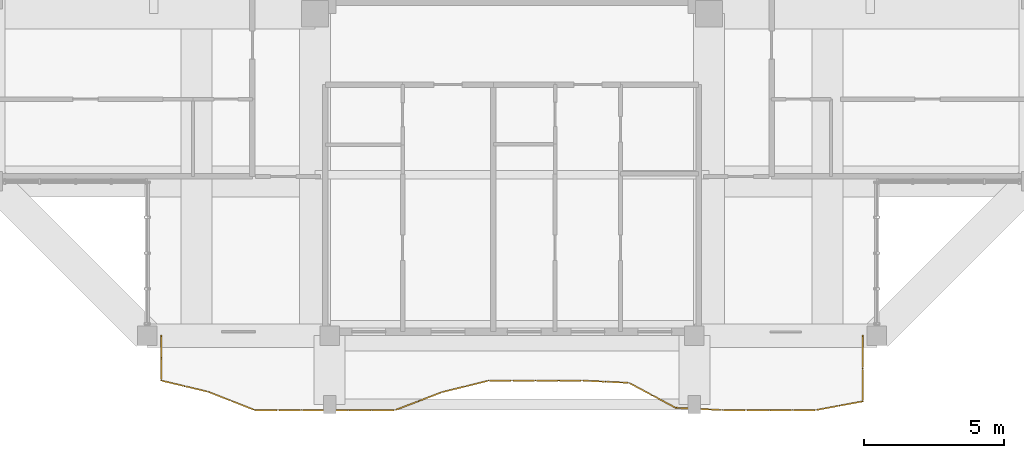
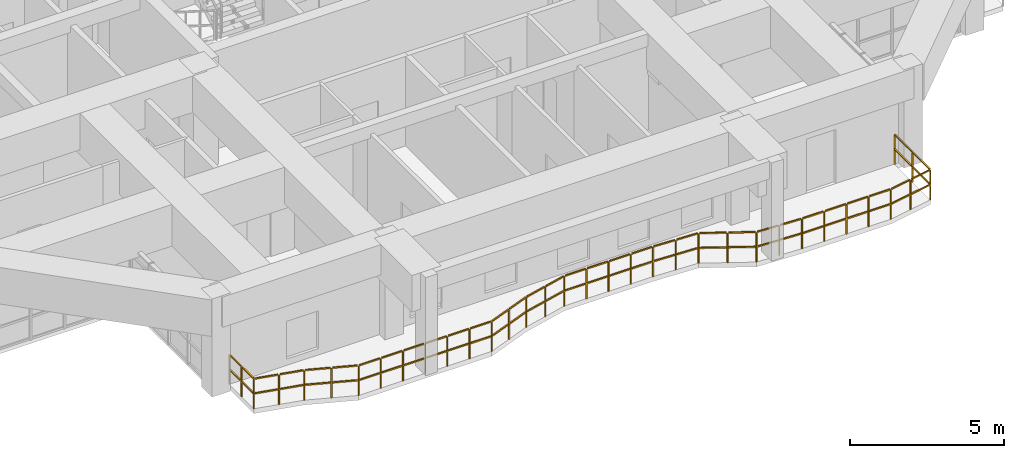
# One storey, part 18 of 22: 1 railing.
"""IFC4 building model written with IfcOpenShell, lengths in metres."""

from ifc_helpers import new_model, si_unit, direction, frame, origin, origin_2d, place, context, subcontext, project, spatial, rectangle, extrude, material, type_object, element, save


model = new_model("IFC4")

# Units and contexts
model_context = context("Model", 3, precision=1e-05, world=origin(), true_north=direction((0.0, 1.0)))
body_context = subcontext(model_context, "Body", "Model", "MODEL_VIEW")
ifc_project = project(units=[si_unit("LENGTHUNIT", "METRE"), si_unit("AREAUNIT", "SQUARE_METRE"), si_unit("VOLUMEUNIT", "CUBIC_METRE"), si_unit("PLANEANGLEUNIT", "RADIAN"), si_unit("MASSUNIT", "GRAM", prefix="KILO")], contexts=[model_context])

# Site, building, storey
site_placement = place(None, origin())
site = spatial("IfcSite", under=ifc_project, at=site_placement, CompositionType="ELEMENT")
building_placement = place(site_placement, origin())
building = spatial("IfcBuilding", under=site, at=building_placement, Name="Saelheon Loggia Tower", CompositionType="ELEMENT")
storey_placement = place(building_placement, frame((0.0, 0.0, 216.300048828125)))
storey = spatial("IfcBuildingStorey", under=building, at=storey_placement, Name="L67", CompositionType="ELEMENT", Elevation=216.300048828125)

# Railing
ifc_material = material(Name="Architectural Precast Concrete and Laminated Glass Guard", Category="concrete")
railing_type = type_object("IfcRailingType", Name="Guard_Loggia_RL_LOG", PredefinedType="BALUSTRADE", material=ifc_material)
railing_placement = place(storey_placement, frame((25.5, 6.0, 0.0)))
element("IfcRailing", 1, at=railing_placement, inside=storey, type_object=railing_type, Name="L67 South Loggia Balustrade", PredefinedType="BALUSTRADE", context=body_context, shape_type="SweptSolid", body=[
    extrude(rectangle(XDim=0.048095703125, YDim=0.048095703125, at=origin_2d()), frame((0.0, -0.033203125, 1.19580078125), z_axis=(0.0, -1.0, 0.0), x_axis=(1.0, 0.0, 0.0)), (0.0, 0.0, 1.0), 0.733642578125),
    extrude(rectangle(XDim=0.048095703125, YDim=0.048095703125, at=origin_2d()), frame((0.0, -0.033203125, 0.60986328125), z_axis=(0.0, -1.0, 0.0), x_axis=(1.0, 0.0, 0.0)), (0.0, 0.0, 1.0), 0.733642578125),
    extrude(rectangle(XDim=0.048095703125, YDim=0.048095703125, at=origin_2d()), frame((0.0, -0.833251953125, 1.19580078125), z_axis=(0.0, -1.0, 0.0), x_axis=(1.0, 0.0, 0.0)), (0.0, 0.0, 1.0), 0.733642578125),
    extrude(rectangle(XDim=0.048095703125, YDim=0.048095703125, at=origin_2d()), frame((0.0, -0.833251953125, 0.60986328125), z_axis=(0.0, -1.0, 0.0), x_axis=(1.0, 0.0, 0.0)), (0.0, 0.0, 1.0), 0.733642578125),
    extrude(rectangle(XDim=0.048095703125, YDim=0.048095703125, at=origin_2d()), frame((0.0322265625, -1.607666015625, 1.19580078125), z_axis=(0.972885666926, -0.23128657352, 0.0), x_axis=(0.23128657352, 0.972885666926, 0.0)), (0.0, 0.0, 1.0), 0.7900390625),
    extrude(rectangle(XDim=0.048095703125, YDim=0.048095703125, at=origin_2d()), frame((0.0322265625, -1.607666015625, 0.60986328125), z_axis=(0.972885666926, -0.23128657352, 0.0), x_axis=(0.23128657352, 0.972885666926, 0.0)), (0.0, 0.0, 1.0), 0.7900390625),
    extrude(rectangle(XDim=0.048095703125, YDim=0.048095703125, at=origin_2d()), frame((0.86572265625, -1.805908203125, 1.19580078125), z_axis=(0.972885666926, -0.23128657352, 0.0), x_axis=(0.23128657352, 0.972885666926, 0.0)), (0.0, 0.0, 1.0), 0.7900390625),
    extrude(rectangle(XDim=0.048095703125, YDim=0.048095703125, at=origin_2d()), frame((0.86572265625, -1.805908203125, 0.60986328125), z_axis=(0.972885666926, -0.23128657352, 0.0), x_axis=(0.23128657352, 0.972885666926, 0.0)), (0.0, 0.0, 1.0), 0.7900390625),
    extrude(rectangle(XDim=0.048095703125, YDim=0.048095703125, at=origin_2d()), frame((1.69775390625, -2.008544921875, 1.19580078125), z_axis=(0.930966835814, -0.365103753219, 0.0), x_axis=(0.365103753219, 0.930966835814, 0.0)), (0.0, 0.0, 1.0), 0.82861328125),
    extrude(rectangle(XDim=0.048095703125, YDim=0.048095703125, at=origin_2d()), frame((1.69775390625, -2.008544921875, 0.60986328125), z_axis=(0.930966835814, -0.365103753219, 0.0), x_axis=(0.365103753219, 0.930966835814, 0.0)), (0.0, 0.0, 1.0), 0.82861328125),
    extrude(rectangle(XDim=0.048095703125, YDim=0.048095703125, at=origin_2d()), frame((2.531005859375, -2.335205078125, 1.19580078125), z_axis=(0.930966835814, -0.365103753219, 0.0), x_axis=(0.365103753219, 0.930966835814, 0.0)), (0.0, 0.0, 1.0), 0.82861328125),
    extrude(rectangle(XDim=0.048095703125, YDim=0.048095703125, at=origin_2d()), frame((2.531005859375, -2.335205078125, 0.60986328125), z_axis=(0.930966835814, -0.365103753219, 0.0), x_axis=(0.365103753219, 0.930966835814, 0.0)), (0.0, 0.0, 1.0), 0.82861328125),
    extrude(rectangle(XDim=0.048095703125, YDim=0.048095703125, at=origin_2d()), frame((3.366455078125, -2.64990234375, 1.19580078125), z_axis=(1.0, 0.0, 0.0), x_axis=(0.0, 1.0, 0.0)), (0.0, 0.0, 1.0), 0.766845703125),
    extrude(rectangle(XDim=0.048095703125, YDim=0.048095703125, at=origin_2d()), frame((3.366455078125, -2.64990234375, 0.60986328125), z_axis=(1.0, 0.0, 0.0), x_axis=(0.0, 1.0, 0.0)), (0.0, 0.0, 1.0), 0.766845703125),
    extrude(rectangle(XDim=0.048095703125, YDim=0.048095703125, at=origin_2d()), frame((4.199951171875, -2.64990234375, 1.19580078125), z_axis=(1.0, 0.0, 0.0), x_axis=(0.0, 1.0, 0.0)), (0.0, 0.0, 1.0), 0.766845703125),
    extrude(rectangle(XDim=0.048095703125, YDim=0.048095703125, at=origin_2d()), frame((4.199951171875, -2.64990234375, 0.60986328125), z_axis=(1.0, 0.0, 0.0), x_axis=(0.0, 1.0, 0.0)), (0.0, 0.0, 1.0), 0.766845703125),
    extrude(rectangle(XDim=0.048095703125, YDim=0.048095703125, at=origin_2d()), frame((5.033203125, -2.64990234375, 1.19580078125), z_axis=(1.0, 0.0, 0.0), x_axis=(0.0, 1.0, 0.0)), (0.0, 0.0, 1.0), 0.766845703125),
    extrude(rectangle(XDim=0.048095703125, YDim=0.048095703125, at=origin_2d()), frame((5.033203125, -2.64990234375, 0.60986328125), z_axis=(1.0, 0.0, 0.0), x_axis=(0.0, 1.0, 0.0)), (0.0, 0.0, 1.0), 0.766845703125),
    extrude(rectangle(XDim=0.048095703125, YDim=0.048095703125, at=origin_2d()), frame((5.86669921875, -2.64990234375, 1.19580078125), z_axis=(1.0, 0.0, 0.0), x_axis=(0.0, 1.0, 0.0)), (0.0, 0.0, 1.0), 0.766845703125),
    extrude(rectangle(XDim=0.048095703125, YDim=0.048095703125, at=origin_2d()), frame((5.86669921875, -2.64990234375, 0.60986328125), z_axis=(1.0, 0.0, 0.0), x_axis=(0.0, 1.0, 0.0)), (0.0, 0.0, 1.0), 0.766845703125),
    extrude(rectangle(XDim=0.048095703125, YDim=0.048095703125, at=origin_2d()), frame((6.699951171875, -2.64990234375, 1.19580078125), z_axis=(1.0, 0.0, 0.0), x_axis=(0.0, 1.0, 0.0)), (0.0, 0.0, 1.0), 0.766845703125),
    extrude(rectangle(XDim=0.048095703125, YDim=0.048095703125, at=origin_2d()), frame((6.699951171875, -2.64990234375, 0.60986328125), z_axis=(1.0, 0.0, 0.0), x_axis=(0.0, 1.0, 0.0)), (0.0, 0.0, 1.0), 0.766845703125),
    extrude(rectangle(XDim=0.048095703125, YDim=0.048095703125, at=origin_2d()), frame((7.533203125, -2.64990234375, 1.19580078125), z_axis=(1.0, 0.0, 0.0), x_axis=(0.0, 1.0, 0.0)), (0.0, 0.0, 1.0), 0.766845703125),
    extrude(rectangle(XDim=0.048095703125, YDim=0.048095703125, at=origin_2d()), frame((7.533203125, -2.64990234375, 0.60986328125), z_axis=(1.0, 0.0, 0.0), x_axis=(0.0, 1.0, 0.0)), (0.0, 0.0, 1.0), 0.766845703125),
    extrude(rectangle(XDim=0.048095703125, YDim=0.048095703125, at=origin_2d()), frame((8.3642578125, -2.63818359375, 1.19580078125), z_axis=(0.934385792277, 0.356262811967, 0.0), x_axis=(-0.356262811967, 0.934385792277, 0.0)), (0.0, 0.0, 1.0), 0.825439453125),
    extrude(rectangle(XDim=0.048095703125, YDim=0.048095703125, at=origin_2d()), frame((8.3642578125, -2.63818359375, 0.60986328125), z_axis=(0.934385792277, 0.356262811967, 0.0), x_axis=(-0.356262811967, 0.934385792277, 0.0)), (0.0, 0.0, 1.0), 0.825439453125),
    extrude(rectangle(XDim=0.048095703125, YDim=0.048095703125, at=origin_2d()), frame((9.19775390625, -2.3203125, 1.19580078125), z_axis=(0.934385792277, 0.356262811967, 0.0), x_axis=(-0.356262811967, 0.934385792277, 0.0)), (0.0, 0.0, 1.0), 0.825439453125),
    extrude(rectangle(XDim=0.048095703125, YDim=0.048095703125, at=origin_2d()), frame((9.19775390625, -2.3203125, 0.60986328125), z_axis=(0.934385792277, 0.356262811967, 0.0), x_axis=(-0.356262811967, 0.934385792277, 0.0)), (0.0, 0.0, 1.0), 0.825439453125),
    extrude(rectangle(XDim=0.048095703125, YDim=0.048095703125, at=origin_2d()), frame((10.0322265625, -2.00634765625, 1.19580078125), z_axis=(0.970467735246, 0.241230957479, 0.0), x_axis=(-0.241230957479, 0.970467735246, 0.0)), (0.0, 0.0, 1.0), 0.792236328125),
    extrude(rectangle(XDim=0.048095703125, YDim=0.048095703125, at=origin_2d()), frame((10.0322265625, -2.00634765625, 0.60986328125), z_axis=(0.970467735246, 0.241230957479, 0.0), x_axis=(-0.241230957479, 0.970467735246, 0.0)), (0.0, 0.0, 1.0), 0.792236328125),
    extrude(rectangle(XDim=0.048095703125, YDim=0.048095703125, at=origin_2d()), frame((10.86572265625, -1.79931640625, 1.19580078125), z_axis=(0.970467735246, 0.241230957479, 0.0), x_axis=(-0.241230957479, 0.970467735246, 0.0)), (0.0, 0.0, 1.0), 0.792236328125),
    extrude(rectangle(XDim=0.048095703125, YDim=0.048095703125, at=origin_2d()), frame((10.86572265625, -1.79931640625, 0.60986328125), z_axis=(0.970467735246, 0.241230957479, 0.0), x_axis=(-0.241230957479, 0.970467735246, 0.0)), (0.0, 0.0, 1.0), 0.792236328125),
    extrude(rectangle(XDim=0.048095703125, YDim=0.048095703125, at=origin_2d()), frame((11.699951171875, -1.60009765625, 1.19580078125), z_axis=(1.0, 0.0, 0.0), x_axis=(0.0, 1.0, 0.0)), (0.0, 0.0, 1.0), 0.766845703125),
    extrude(rectangle(XDim=0.048095703125, YDim=0.048095703125, at=origin_2d()), frame((11.699951171875, -1.60009765625, 0.60986328125), z_axis=(1.0, 0.0, 0.0), x_axis=(0.0, 1.0, 0.0)), (0.0, 0.0, 1.0), 0.766845703125),
    extrude(rectangle(XDim=0.048095703125, YDim=0.048095703125, at=origin_2d()), frame((12.533203125, -1.60009765625, 1.19580078125), z_axis=(1.0, 0.0, 0.0), x_axis=(0.0, 1.0, 0.0)), (0.0, 0.0, 1.0), 0.766845703125),
    extrude(rectangle(XDim=0.048095703125, YDim=0.048095703125, at=origin_2d()), frame((12.533203125, -1.60009765625, 0.60986328125), z_axis=(1.0, 0.0, 0.0), x_axis=(0.0, 1.0, 0.0)), (0.0, 0.0, 1.0), 0.766845703125),
    extrude(rectangle(XDim=0.048095703125, YDim=0.048095703125, at=origin_2d()), frame((13.366455078125, -1.60009765625, 1.19580078125), z_axis=(1.0, 0.0, 0.0), x_axis=(0.0, 1.0, 0.0)), (0.0, 0.0, 1.0), 0.766845703125),
    extrude(rectangle(XDim=0.048095703125, YDim=0.048095703125, at=origin_2d()), frame((13.366455078125, -1.60009765625, 0.60986328125), z_axis=(1.0, 0.0, 0.0), x_axis=(0.0, 1.0, 0.0)), (0.0, 0.0, 1.0), 0.766845703125),
    extrude(rectangle(XDim=0.048095703125, YDim=0.048095703125, at=origin_2d()), frame((14.199951171875, -1.60009765625, 1.19580078125), z_axis=(1.0, 0.0, 0.0), x_axis=(0.0, 1.0, 0.0)), (0.0, 0.0, 1.0), 0.766845703125),
    extrude(rectangle(XDim=0.048095703125, YDim=0.048095703125, at=origin_2d()), frame((14.199951171875, -1.60009765625, 0.60986328125), z_axis=(1.0, 0.0, 0.0), x_axis=(0.0, 1.0, 0.0)), (0.0, 0.0, 1.0), 0.766845703125),
    extrude(rectangle(XDim=0.048095703125, YDim=0.048095703125, at=origin_2d()), frame((15.033203125, -1.6015625, 1.19580078125), z_axis=(0.998861839627, -0.04769722568, 0.0), x_axis=(0.04769722568, 0.998861839627, 0.0)), (0.0, 0.0, 1.0), 0.767822265625),
    extrude(rectangle(XDim=0.048095703125, YDim=0.048095703125, at=origin_2d()), frame((15.033203125, -1.6015625, 0.60986328125), z_axis=(0.998861839627, -0.04769722568, 0.0), x_axis=(0.04769722568, 0.998861839627, 0.0)), (0.0, 0.0, 1.0), 0.767822265625),
    extrude(rectangle(XDim=0.048095703125, YDim=0.048095703125, at=origin_2d()), frame((15.866455078125, -1.641357421875, 1.19580078125), z_axis=(0.998861839627, -0.04769722568, 0.0), x_axis=(0.04769722568, 0.998861839627, 0.0)), (0.0, 0.0, 1.0), 0.767822265625),
    extrude(rectangle(XDim=0.048095703125, YDim=0.048095703125, at=origin_2d()), frame((15.866455078125, -1.641357421875, 0.60986328125), z_axis=(0.998861839627, -0.04769722568, 0.0), x_axis=(0.04769722568, 0.998861839627, 0.0)), (0.0, 0.0, 1.0), 0.767822265625),
    extrude(rectangle(XDim=0.048095703125, YDim=0.048095703125, at=origin_2d()), frame((16.696044921875, -1.6953125, 1.19580078125), z_axis=(0.882274214807, -0.47073581751, 0.0), x_axis=(0.47073581751, 0.882274214807, 0.0)), (0.0, 0.0, 1.0), 0.8779296875),
    extrude(rectangle(XDim=0.048095703125, YDim=0.048095703125, at=origin_2d()), frame((16.696044921875, -1.6953125, 0.60986328125), z_axis=(0.882274214807, -0.47073581751, 0.0), x_axis=(0.47073581751, 0.882274214807, 0.0)), (0.0, 0.0, 1.0), 0.8779296875),
    extrude(rectangle(XDim=0.048095703125, YDim=0.048095703125, at=origin_2d()), frame((17.529296875, -2.139892578125, 1.19580078125), z_axis=(0.882274214807, -0.47073581751, 0.0), x_axis=(0.47073581751, 0.882274214807, 0.0)), (0.0, 0.0, 1.0), 0.8779296875),
    extrude(rectangle(XDim=0.048095703125, YDim=0.048095703125, at=origin_2d()), frame((17.529296875, -2.139892578125, 0.60986328125), z_axis=(0.882274214807, -0.47073581751, 0.0), x_axis=(0.47073581751, 0.882274214807, 0.0)), (0.0, 0.0, 1.0), 0.8779296875),
    extrude(rectangle(XDim=0.048095703125, YDim=0.048095703125, at=origin_2d()), frame((18.366455078125, -2.570556640625, 1.19580078125), z_axis=(0.998819633443, -0.048573036224, 0.0), x_axis=(0.048573036224, 0.998819633443, 0.0)), (0.0, 0.0, 1.0), 0.767822265625),
    extrude(rectangle(XDim=0.048095703125, YDim=0.048095703125, at=origin_2d()), frame((18.366455078125, -2.570556640625, 0.60986328125), z_axis=(0.998819633443, -0.048573036224, 0.0), x_axis=(0.048573036224, 0.998819633443, 0.0)), (0.0, 0.0, 1.0), 0.767822265625),
    extrude(rectangle(XDim=0.048095703125, YDim=0.048095703125, at=origin_2d()), frame((19.19970703125, -2.611083984375, 1.19580078125), z_axis=(0.998819633443, -0.048573036224, 0.0), x_axis=(0.048573036224, 0.998819633443, 0.0)), (0.0, 0.0, 1.0), 0.767822265625),
    extrude(rectangle(XDim=0.048095703125, YDim=0.048095703125, at=origin_2d()), frame((19.19970703125, -2.611083984375, 0.60986328125), z_axis=(0.998819633443, -0.048573036224, 0.0), x_axis=(0.048573036224, 0.998819633443, 0.0)), (0.0, 0.0, 1.0), 0.767822265625),
    extrude(rectangle(XDim=0.048095703125, YDim=0.048095703125, at=origin_2d()), frame((20.033203125, -2.64990234375, 1.19580078125), z_axis=(1.0, 0.0, 0.0), x_axis=(0.0, 1.0, 0.0)), (0.0, 0.0, 1.0), 0.766845703125),
    extrude(rectangle(XDim=0.048095703125, YDim=0.048095703125, at=origin_2d()), frame((20.033203125, -2.64990234375, 0.60986328125), z_axis=(1.0, 0.0, 0.0), x_axis=(0.0, 1.0, 0.0)), (0.0, 0.0, 1.0), 0.766845703125),
    extrude(rectangle(XDim=0.048095703125, YDim=0.048095703125, at=origin_2d()), frame((20.86669921875, -2.64990234375, 1.19580078125), z_axis=(1.0, 0.0, 0.0), x_axis=(0.0, 1.0, 0.0)), (0.0, 0.0, 1.0), 0.766845703125),
    extrude(rectangle(XDim=0.048095703125, YDim=0.048095703125, at=origin_2d()), frame((20.86669921875, -2.64990234375, 0.60986328125), z_axis=(1.0, 0.0, 0.0), x_axis=(0.0, 1.0, 0.0)), (0.0, 0.0, 1.0), 0.766845703125),
    extrude(rectangle(XDim=0.048095703125, YDim=0.048095703125, at=origin_2d()), frame((21.699951171875, -2.64990234375, 1.19580078125), z_axis=(1.0, 0.0, 0.0), x_axis=(0.0, 1.0, 0.0)), (0.0, 0.0, 1.0), 0.766845703125),
    extrude(rectangle(XDim=0.048095703125, YDim=0.048095703125, at=origin_2d()), frame((21.699951171875, -2.64990234375, 0.60986328125), z_axis=(1.0, 0.0, 0.0), x_axis=(0.0, 1.0, 0.0)), (0.0, 0.0, 1.0), 0.766845703125),
    extrude(rectangle(XDim=0.048095703125, YDim=0.048095703125, at=origin_2d()), frame((22.533203125, -2.64990234375, 1.19580078125), z_axis=(1.0, 0.0, 0.0), x_axis=(0.0, 1.0, 0.0)), (0.0, 0.0, 1.0), 0.766845703125),
    extrude(rectangle(XDim=0.048095703125, YDim=0.048095703125, at=origin_2d()), frame((22.533203125, -2.64990234375, 0.60986328125), z_axis=(1.0, 0.0, 0.0), x_axis=(0.0, 1.0, 0.0)), (0.0, 0.0, 1.0), 0.766845703125),
    extrude(rectangle(XDim=0.048095703125, YDim=0.048095703125, at=origin_2d()), frame((23.365966796875, -2.643798828125, 1.19580078125), z_axis=(0.983107760507, 0.183027678864, 0.0), x_axis=(-0.183027678864, 0.983107760507, 0.0)), (0.0, 0.0, 1.0), 0.78125),
    extrude(rectangle(XDim=0.048095703125, YDim=0.048095703125, at=origin_2d()), frame((23.365966796875, -2.643798828125, 0.60986328125), z_axis=(0.983107760507, 0.183027678864, 0.0), x_axis=(-0.183027678864, 0.983107760507, 0.0)), (0.0, 0.0, 1.0), 0.78125),
    extrude(rectangle(XDim=0.048095703125, YDim=0.048095703125, at=origin_2d()), frame((24.19921875, -2.48876953125, 1.19580078125), z_axis=(0.983107760507, 0.183027678864, 0.0), x_axis=(-0.183027678864, 0.983107760507, 0.0)), (0.0, 0.0, 1.0), 0.78125),
    extrude(rectangle(XDim=0.048095703125, YDim=0.048095703125, at=origin_2d()), frame((24.19921875, -2.48876953125, 0.60986328125), z_axis=(0.983107760507, 0.183027678864, 0.0), x_axis=(-0.183027678864, 0.983107760507, 0.0)), (0.0, 0.0, 1.0), 0.78125),
    extrude(rectangle(XDim=0.048095703125, YDim=0.048095703125, at=origin_2d()), frame((25.0, -2.306396484375, 1.19580078125), z_axis=(0.0, 1.0, 0.0), x_axis=(-1.0, 0.0, 0.0)), (0.0, 0.0, 1.0), 1.103271484375),
    extrude(rectangle(XDim=0.048095703125, YDim=0.048095703125, at=origin_2d()), frame((25.0, -2.306396484375, 0.60986328125), z_axis=(0.0, 1.0, 0.0), x_axis=(-1.0, 0.0, 0.0)), (0.0, 0.0, 1.0), 1.103271484375),
    extrude(rectangle(XDim=0.048095703125, YDim=0.048095703125, at=origin_2d()), frame((25.0, -1.136474609375, 1.19580078125), z_axis=(0.0, 1.0, 0.0), x_axis=(-1.0, 0.0, 0.0)), (0.0, 0.0, 1.0), 1.103271484375),
    extrude(rectangle(XDim=0.048095703125, YDim=0.048095703125, at=origin_2d()), frame((25.0, -1.136474609375, 0.60986328125), z_axis=(0.0, 1.0, 0.0), x_axis=(-1.0, 0.0, 0.0)), (0.0, 0.0, 1.0), 1.103271484375),
    extrude(rectangle(XDim=0.0419921875, YDim=0.0419921875, at=origin_2d()), origin(), (0.0, 0.0, 1.0), 1.16796875),
    extrude(rectangle(XDim=0.0419921875, YDim=0.0419921875, at=origin_2d()), frame((0.0, -0.800048828125, 0.0)), (0.0, 0.0, 1.0), 1.16796875),
    extrude(rectangle(XDim=0.0419921875, YDim=0.0419921875, at=origin_2d()), frame((0.0, -1.60009765625, 0.0)), (0.0, 0.0, 1.0), 1.16796875),
    extrude(rectangle(XDim=0.0419921875, YDim=0.0419921875, at=origin_2d()), frame((0.83349609375, -1.79833984375, 0.0)), (0.0, 0.0, 1.0), 1.16796875),
    extrude(rectangle(XDim=0.0419921875, YDim=0.0419921875, at=origin_2d()), frame((1.666748046875, -1.996337890625, 0.0)), (0.0, 0.0, 1.0), 1.16796875),
    extrude(rectangle(XDim=0.0419921875, YDim=0.0419921875, at=origin_2d()), frame((2.5, -2.3232421875, 0.0)), (0.0, 0.0, 1.0), 1.16796875),
    extrude(rectangle(XDim=0.0419921875, YDim=0.0419921875, at=origin_2d()), frame((3.333251953125, -2.64990234375, 0.0)), (0.0, 0.0, 1.0), 1.16796875),
    extrude(rectangle(XDim=0.0419921875, YDim=0.0419921875, at=origin_2d()), frame((4.16650390625, -2.64990234375, 0.0)), (0.0, 0.0, 1.0), 1.16796875),
    extrude(rectangle(XDim=0.0419921875, YDim=0.0419921875, at=origin_2d()), frame((5.0, -2.64990234375, 0.0)), (0.0, 0.0, 1.0), 1.16796875),
    extrude(rectangle(XDim=0.0419921875, YDim=0.0419921875, at=origin_2d()), frame((5.83349609375, -2.64990234375, 0.0)), (0.0, 0.0, 1.0), 1.16796875),
    extrude(rectangle(XDim=0.0419921875, YDim=0.0419921875, at=origin_2d()), frame((6.666748046875, -2.64990234375, 0.0)), (0.0, 0.0, 1.0), 1.16796875),
    extrude(rectangle(XDim=0.0419921875, YDim=0.0419921875, at=origin_2d()), frame((7.5, -2.64990234375, 0.0)), (0.0, 0.0, 1.0), 1.16796875),
    extrude(rectangle(XDim=0.0419921875, YDim=0.0419921875, at=origin_2d()), frame((8.333251953125, -2.64990234375, 0.0)), (0.0, 0.0, 1.0), 1.16796875),
    extrude(rectangle(XDim=0.0419921875, YDim=0.0419921875, at=origin_2d()), frame((9.16650390625, -2.33203125, 0.0)), (0.0, 0.0, 1.0), 1.16796875),
    extrude(rectangle(XDim=0.0419921875, YDim=0.0419921875, at=origin_2d()), frame((10.0, -2.014404296875, 0.0)), (0.0, 0.0, 1.0), 1.16796875),
    extrude(rectangle(XDim=0.0419921875, YDim=0.0419921875, at=origin_2d()), frame((10.83349609375, -1.80712890625, 0.0)), (0.0, 0.0, 1.0), 1.16796875),
    extrude(rectangle(XDim=0.0419921875, YDim=0.0419921875, at=origin_2d()), frame((11.666748046875, -1.60009765625, 0.0)), (0.0, 0.0, 1.0), 1.16796875),
    extrude(rectangle(XDim=0.0419921875, YDim=0.0419921875, at=origin_2d()), frame((12.5, -1.60009765625, 0.0)), (0.0, 0.0, 1.0), 1.16796875),
    extrude(rectangle(XDim=0.0419921875, YDim=0.0419921875, at=origin_2d()), frame((13.333251953125, -1.60009765625, 0.0)), (0.0, 0.0, 1.0), 1.16796875),
    extrude(rectangle(XDim=0.0419921875, YDim=0.0419921875, at=origin_2d()), frame((14.16650390625, -1.60009765625, 0.0)), (0.0, 0.0, 1.0), 1.16796875),
    extrude(rectangle(XDim=0.0419921875, YDim=0.0419921875, at=origin_2d()), frame((15.0, -1.60009765625, 0.0)), (0.0, 0.0, 1.0), 1.16796875),
    extrude(rectangle(XDim=0.0419921875, YDim=0.0419921875, at=origin_2d()), frame((15.83349609375, -1.639892578125, 0.0)), (0.0, 0.0, 1.0), 1.16796875),
    extrude(rectangle(XDim=0.0419921875, YDim=0.0419921875, at=origin_2d()), frame((16.666748046875, -1.6796875, 0.0)), (0.0, 0.0, 1.0), 1.16796875),
    extrude(rectangle(XDim=0.0419921875, YDim=0.0419921875, at=origin_2d()), frame((17.5, -2.124267578125, 0.0)), (0.0, 0.0, 1.0), 1.16796875),
    extrude(rectangle(XDim=0.0419921875, YDim=0.0419921875, at=origin_2d()), frame((18.333251953125, -2.56884765625, 0.0)), (0.0, 0.0, 1.0), 1.16796875),
    extrude(rectangle(XDim=0.0419921875, YDim=0.0419921875, at=origin_2d()), frame((19.16650390625, -2.609375, 0.0)), (0.0, 0.0, 1.0), 1.16796875),
    extrude(rectangle(XDim=0.0419921875, YDim=0.0419921875, at=origin_2d()), frame((20.0, -2.64990234375, 0.0)), (0.0, 0.0, 1.0), 1.16796875),
    extrude(rectangle(XDim=0.0419921875, YDim=0.0419921875, at=origin_2d()), frame((20.83349609375, -2.64990234375, 0.0)), (0.0, 0.0, 1.0), 1.16796875),
    extrude(rectangle(XDim=0.0419921875, YDim=0.0419921875, at=origin_2d()), frame((21.666748046875, -2.64990234375, 0.0)), (0.0, 0.0, 1.0), 1.16796875),
    extrude(rectangle(XDim=0.0419921875, YDim=0.0419921875, at=origin_2d()), frame((22.5, -2.64990234375, 0.0)), (0.0, 0.0, 1.0), 1.16796875),
    extrude(rectangle(XDim=0.0419921875, YDim=0.0419921875, at=origin_2d()), frame((23.333251953125, -2.64990234375, 0.0)), (0.0, 0.0, 1.0), 1.16796875),
    extrude(rectangle(XDim=0.0419921875, YDim=0.0419921875, at=origin_2d()), frame((24.16650390625, -2.49462890625, 0.0)), (0.0, 0.0, 1.0), 1.16796875),
    extrude(rectangle(XDim=0.0419921875, YDim=0.0419921875, at=origin_2d()), frame((25.0, -2.339599609375, 0.0)), (0.0, 0.0, 1.0), 1.16796875),
    extrude(rectangle(XDim=0.0419921875, YDim=0.0419921875, at=origin_2d()), frame((25.0, -1.169921875, 0.0)), (0.0, 0.0, 1.0), 1.16796875),
    extrude(rectangle(XDim=0.0419921875, YDim=0.0419921875, at=origin_2d()), frame((25.0, 0.0, 0.0)), (0.0, 0.0, 1.0), 1.16796875),
])

save(model, "model.ifc")
